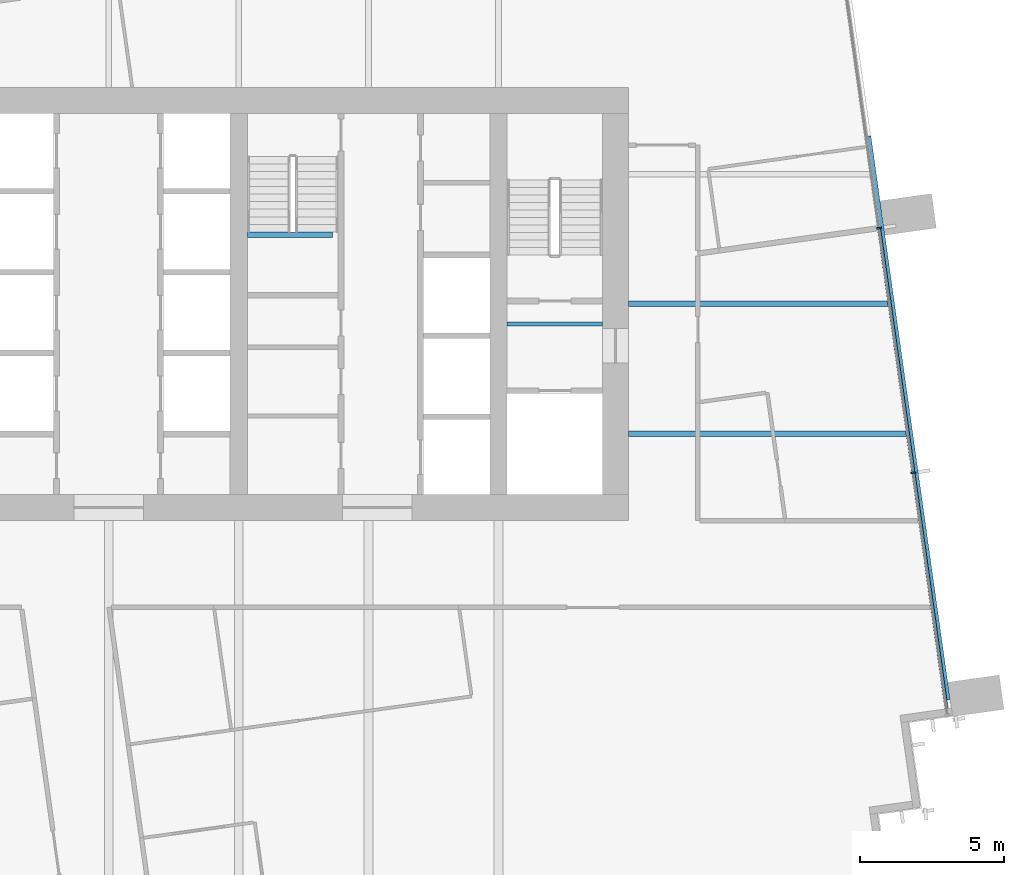
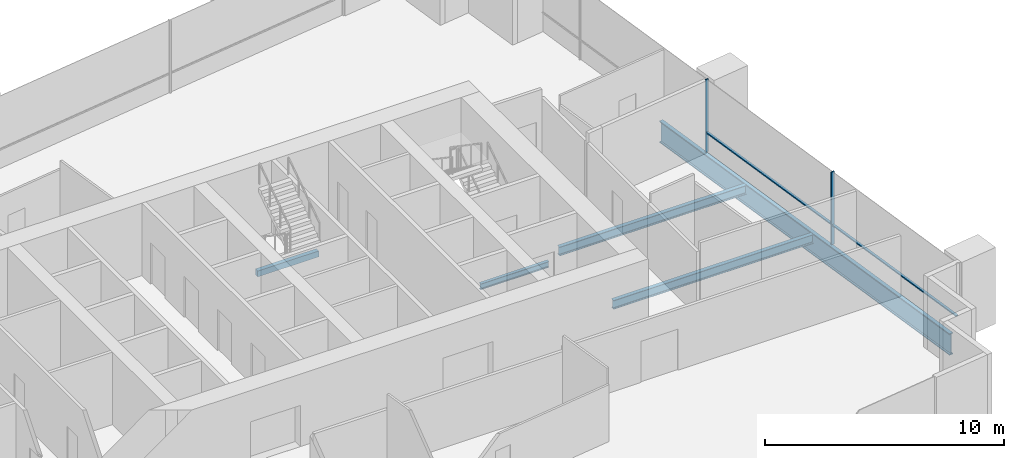
# One storey, part 5 of 14: 5 beams, 4 members, 1 element without a shape of its own.
"""IFC4 building model written with IfcOpenShell, lengths in metres."""

from ifc_helpers import new_model, si_unit, direction, frame, origin, origin_2d, place, context, subcontext, project, spatial, rectangle, i_section, extrude, material, material_profile, profile_set, type_object, element, aggregate, save


model = new_model("IFC4")

# Units and contexts
model_context = context("Model", 3, precision=1e-05, world=origin(), true_north=direction((0.0, 1.0)))
body_context = subcontext(model_context, "Body", "Model", "MODEL_VIEW")
ifc_project = project(units=[si_unit("LENGTHUNIT", "METRE"), si_unit("AREAUNIT", "SQUARE_METRE"), si_unit("VOLUMEUNIT", "CUBIC_METRE"), si_unit("PLANEANGLEUNIT", "RADIAN"), si_unit("MASSUNIT", "GRAM", prefix="KILO")], contexts=[model_context])

# Site, building, storey
site_placement = place(None, origin())
site = spatial("IfcSite", under=ifc_project, at=site_placement, CompositionType="ELEMENT")
building_placement = place(site_placement, origin())
building = spatial("IfcBuilding", under=site, at=building_placement, Name="Rattan Terrace Tower", CompositionType="ELEMENT")
storey_placement = place(building_placement, frame((0.0, 0.0, 172.39990234375)))
storey = spatial("IfcBuildingStorey", under=building, at=storey_placement, Name="L39", CompositionType="ELEMENT", Elevation=172.39990234375)

# Beam
ifc_material_1 = material(Name="Concrete C40/50", Category="concrete")
ifc_material_profile_1 = material_profile(ifc_material_1, rectangle(XDim=0.199951171875, YDim=0.300048828125, at=origin_2d()), Name="RC 200x300")
ifc_profile_set_1 = profile_set([ifc_material_profile_1], Name="Concrete C40/50")
beam_type_1 = type_object("IfcBeamType", Name="Core landing beam RC 200x300", PredefinedType="BEAM", material=ifc_profile_set_1)
beam_1_placement = place(storey_placement, frame((4.800048828125, 2.39990234375, 1.60009765625), z_axis=(1.0, 0.0, 0.0), x_axis=(0.0, 1.0, 0.0)))
element("IfcBeam", 1, at=beam_1_placement, inside=storey, type_object=beam_type_1, Name="st-S3-L39 landing 1 edge beam", PredefinedType="BEAM", context=body_context, shape_type="SweptSolid", body=[
    extrude(rectangle(XDim=0.199951171875, YDim=0.300048828125, at=origin_2d()), origin(), (0.0, 0.0, 1.0), 2.949951171875),
])

# Curtain wall, members
ifc_material_2 = material(Name="Aluminium and glass", Category="aluminium")
curtain_wall_type = type_object("IfcCurtainWallType", Name="Facade Unitised Curtain Wall", PredefinedType="NOTDEFINED", material=ifc_material_2)
curtain_wall_placement = place(storey_placement, origin())
curtain_wall = element("IfcCurtainWall", 2, at=curtain_wall_placement, inside=storey, type_object=curtain_wall_type, Name="Curtain wall L39-1", PredefinedType="NOTDEFINED")
ifc_material_3 = material(Name="Aluminium", Category="aluminium")
ifc_material_profile_2 = material_profile(ifc_material_3, rectangle(XDim=0.06005859375, YDim=0.159912109375, at=origin_2d()), Name="Aluminium 60x160")
ifc_profile_set_2 = profile_set([ifc_material_profile_2], Name="Aluminium")
member_type_1 = type_object("IfcMemberType", Name="Facade CW Mullion 60x160", PredefinedType="MULLION", material=ifc_profile_set_2)
member_1_placement = place(storey_placement, frame((27.857666015625, -5.8408203125, 0.0), z_axis=(0.0, 0.0, 1.0), x_axis=(-0.139190856006, 0.99026557327, 0.0)))
member_1 = element("IfcMember", 3, at=member_1_placement, type_object=member_type_1, Name="Mullion cwl-L39-001.2", PredefinedType="MULLION", context=body_context, shape_type="SweptSolid", body=[
    extrude(rectangle(XDim=0.06005859375, YDim=0.159912109375, at=origin_2d()), origin(), (0.0, 0.0, 1.0), 3.7001953125),
])
member_2_placement = place(storey_placement, frame((26.66748046875, 2.6259765625, 0.0), z_axis=(0.0, 0.0, 1.0), x_axis=(-0.139190856006, 0.99026557327, 0.0)))
member_2 = element("IfcMember", 4, at=member_2_placement, type_object=member_type_1, Name="Mullion cwl-L39-001.3", PredefinedType="MULLION", context=body_context, shape_type="SweptSolid", body=[
    extrude(rectangle(XDim=0.06005859375, YDim=0.159912109375, at=origin_2d()), origin(), (0.0, 0.0, 1.0), 3.7001953125),
])
ifc_material_4 = material(Name="Aluminium", Category="aluminium")
ifc_material_profile_3 = material_profile(ifc_material_4, rectangle(XDim=0.1201171875, YDim=0.06005859375, at=origin_2d()), Name="Aluminium 120x60")
ifc_profile_set_3 = profile_set([ifc_material_profile_3], Name="Aluminium")
member_type_2 = type_object("IfcMemberType", Name="Facade CW Transom 120x60", PredefinedType="USERDEFINED", material=ifc_profile_set_3)
member_3_placement = place(storey_placement, frame((29.032958984375, -14.20361328125, 1.0), z_axis=(-0.139174814558, 0.99026782791, 0.0), x_axis=(-0.99026782791, -0.139174814558, 0.0)))
member_3 = element("IfcMember", 5, at=member_3_placement, type_object=member_type_2, Name="Transom cwl-L39-001.1", ObjectType="TRANSOM", PredefinedType="USERDEFINED", context=body_context, shape_type="SweptSolid", body=[
    extrude(rectangle(XDim=0.1201171875, YDim=0.06005859375, at=origin_2d()), origin(), (0.0, 0.0, 1.0), 8.414794921875),
])
member_4_placement = place(storey_placement, frame((27.853515625, -5.811279296875, 1.0), z_axis=(-0.139206806234, 0.990263331189, 0.0), x_axis=(-0.990263331189, -0.139206806234, 0.0)))
member_4 = element("IfcMember", 6, at=member_4_placement, type_object=member_type_2, Name="Transom cwl-L39-001.2", ObjectType="TRANSOM", PredefinedType="USERDEFINED", context=body_context, shape_type="SweptSolid", body=[
    extrude(rectangle(XDim=0.1201171875, YDim=0.06005859375, at=origin_2d()), origin(), (0.0, 0.0, 1.0), 8.490234375),
])
aggregate(curtain_wall, [member_1, member_2, member_3, member_4])

# Beams
ifc_material_5 = material(Name="Steel S460", Category="steel")
ifc_material_profile_4 = material_profile(ifc_material_5, i_section(OverallWidth=0.179931640625, OverallDepth=1.10009765625, WebThickness=0.01611328125, FlangeThickness=0.050048828125, at=origin_2d()), Name="PG 1100x180-16-50")
ifc_profile_set_4 = profile_set([ifc_material_profile_4], Name="Steel S460")
beam_type_2 = type_object("IfcBeamType", Name="Frame edge girder PG 1100x180-16-50", PredefinedType="SPANDREL", material=ifc_profile_set_4)
beam_2_placement = place(storey_placement, frame((26.301025390625, 5.81201171875, -0.75), z_axis=(0.139187065437, -0.990266106062, 0.0), x_axis=(0.990266106062, 0.139187065437, 0.0)))
element("IfcBeam", 7, at=beam_2_placement, inside=storey, type_object=beam_type_2, Name="gdr-L39-005", PredefinedType="SPANDREL", context=body_context, shape_type="SweptSolid", body=[
    extrude(i_section(OverallWidth=0.179931640625, OverallDepth=1.10009765625, WebThickness=0.01611328125, FlangeThickness=0.050048828125, at=origin_2d()), origin(), (0.0, 0.0, 1.0), 19.706787109375),
])
ifc_material_6 = material(Name="Steel S355", Category="steel")
ifc_material_profile_5 = material_profile(ifc_material_6, i_section(OverallWidth=0.14990234375, OverallDepth=0.300048828125, WebThickness=0.007080078125, FlangeThickness=0.0107421875, FilletRadius=0.014892578125, at=origin_2d()), Name="IPE 300")
ifc_profile_set_5 = profile_set([ifc_material_profile_5], Name="Steel S355")
beam_type_3 = type_object("IfcBeamType", Name="Frame floor beam IPE 300", PredefinedType="JOIST", material=ifc_profile_set_5)
beam_3_placement = place(storey_placement, frame((13.800048828125, -0.695068359375, -0.349853515625), z_axis=(1.0, 0.0, 0.0), x_axis=(0.0, 1.0, 0.0)))
element("IfcBeam", 8, at=beam_3_placement, inside=storey, type_object=beam_type_3, Name="bm-L39-002", PredefinedType="JOIST", context=body_context, shape_type="SweptSolid", body=[
    extrude(i_section(OverallWidth=0.14990234375, OverallDepth=0.300048828125, WebThickness=0.007080078125, FlangeThickness=0.0107421875, FilletRadius=0.014892578125, at=origin_2d()), origin(), (0.0, 0.0, 1.0), 3.300048828125),
])
ifc_material_7 = material(Name="Steel S355", Category="steel")
ifc_material_profile_6 = material_profile(ifc_material_7, i_section(OverallWidth=0.18994140625, OverallDepth=0.449951171875, WebThickness=0.009521484375, FlangeThickness=0.0146484375, FilletRadius=0.02099609375, at=origin_2d()), Name="IPE 450")
ifc_profile_set_6 = profile_set([ifc_material_profile_6], Name="Steel S355")
beam_type_4 = type_object("IfcBeamType", Name="Frame floor beam IPE 450", PredefinedType="JOIST", material=ifc_profile_set_6)
beam_4_placement = place(storey_placement, frame((18.0, -4.5, -0.4248046875), z_axis=(1.0, 0.0, 0.0), x_axis=(0.0, 1.0, 0.0)))
element("IfcBeam", 9, at=beam_4_placement, inside=storey, type_object=beam_type_4, Name="bm-L39-011", PredefinedType="JOIST", context=body_context, shape_type="SweptSolid", body=[
    extrude(i_section(OverallWidth=0.18994140625, OverallDepth=0.449951171875, WebThickness=0.009521484375, FlangeThickness=0.0146484375, FilletRadius=0.02099609375, at=origin_2d()), origin(), (0.0, 0.0, 1.0), 9.64599609375),
])
beam_5_placement = place(storey_placement, frame((18.0, 0.0, -0.4248046875), z_axis=(1.0, 0.0, 0.0), x_axis=(0.0, 1.0, 0.0)))
element("IfcBeam", 10, at=beam_5_placement, inside=storey, type_object=beam_type_4, Name="bm-L39-013", PredefinedType="JOIST", context=body_context, shape_type="SweptSolid", body=[
    extrude(i_section(OverallWidth=0.18994140625, OverallDepth=0.449951171875, WebThickness=0.009521484375, FlangeThickness=0.0146484375, FilletRadius=0.02099609375, at=origin_2d()), origin(), (0.0, 0.0, 1.0), 9.013916015625),
])

save(model, "model.ifc")
